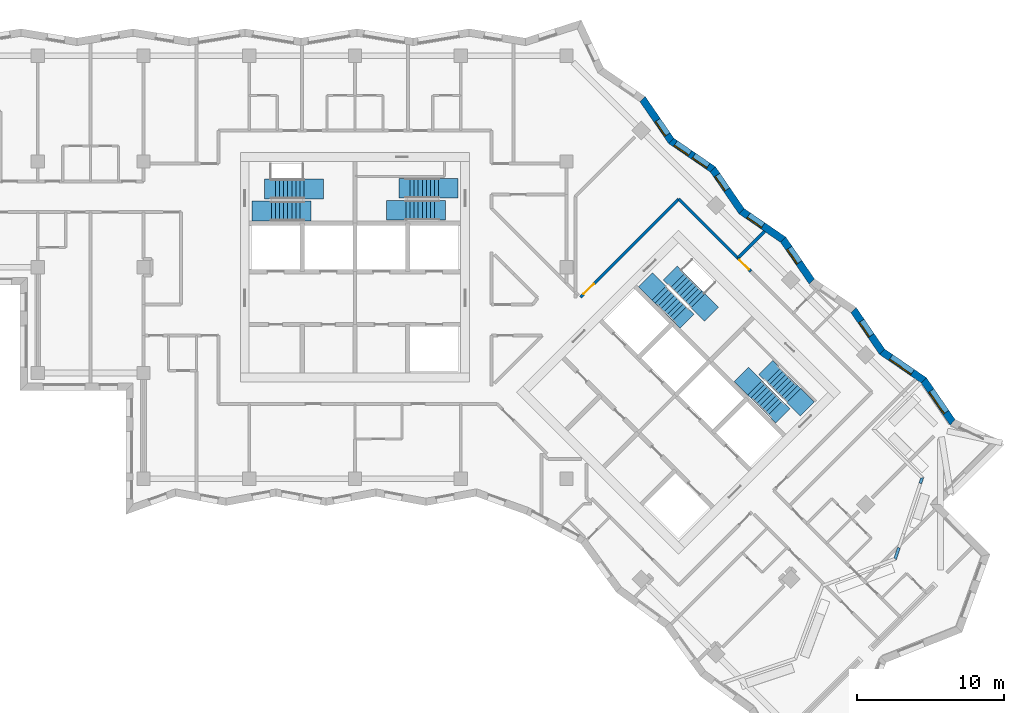
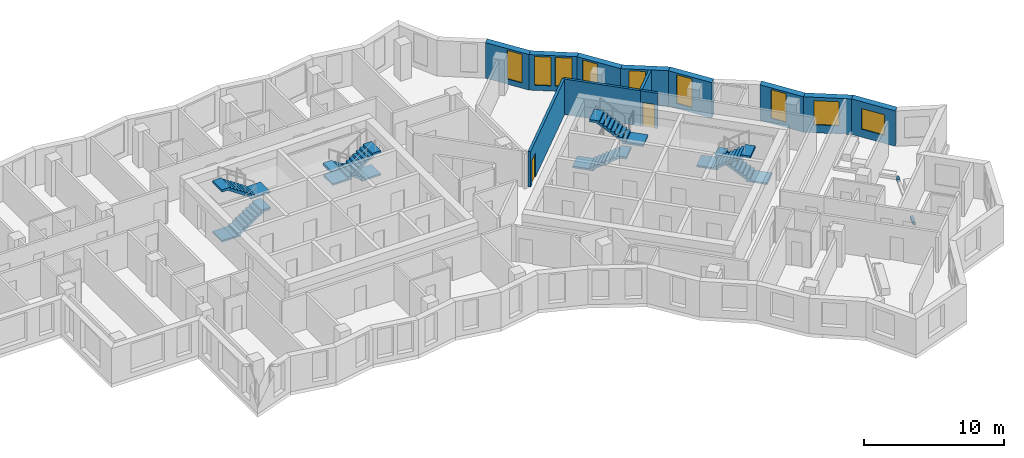
# One storey, part 10 of 13: 14 walls, 9 windows, 8 stair flights, 2 doors, 11 openings, 4 elements without a shape of their own.
"""IFC4 building model written with IfcOpenShell, lengths in metres."""

from ifc_helpers import new_model, si_unit, direction, frame, frame_2d, origin, place, context, subcontext, project, spatial, polyline, rectangle, outline, extrude, material, layer, layer_set, type_object, element, fill, aggregate, save


model = new_model("IFC4")

# Units and contexts
model_context = context("Model", 3, precision=1e-05, world=origin(), true_north=direction((0.0, 1.0)))
body_context = subcontext(model_context, "Body", "Model", "MODEL_VIEW")
ifc_project = project(units=[si_unit("LENGTHUNIT", "METRE"), si_unit("AREAUNIT", "SQUARE_METRE"), si_unit("VOLUMEUNIT", "CUBIC_METRE"), si_unit("PLANEANGLEUNIT", "RADIAN"), si_unit("MASSUNIT", "GRAM", prefix="KILO")], contexts=[model_context])

# Site, building, storey
site_placement = place(None, origin())
site = spatial("IfcSite", under=ifc_project, at=site_placement, CompositionType="ELEMENT")
building_placement = place(site_placement, origin())
building = spatial("IfcBuilding", under=site, at=building_placement, Name="Windrow Commons", CompositionType="ELEMENT")
storey_placement = place(building_placement, frame((0.0, 0.0, 172.8)))
storey = spatial("IfcBuildingStorey", under=building, at=storey_placement, Name="L47", CompositionType="ELEMENT", Elevation=172.8)

# Wall, opening, window
ifc_material_1 = material(Name="Brick masonry, red clay brick", Category="masonry")
ifc_layer_1 = layer(ifc_material_1, 0.5)
ifc_layer_set_1 = layer_set([ifc_layer_1], Name="Brick facade wall 500")
wall_type_1 = type_object("IfcWallType", Name="Brick facade wall 500", PredefinedType="SOLIDWALL", material=ifc_layer_set_1)
wall_1_placement = place(storey_placement, frame((105.4894, 47.0424, 0.0), z_axis=(0.0, 0.0, 1.0), x_axis=(-0.5657493712, 0.8245772547, 0.0)))
wall_1 = element("IfcWall", 1, at=wall_1_placement, inside=storey, type_object=wall_type_1, Name="Brick facade wall L47 8", PredefinedType="SOLIDWALL", context=body_context, shape_type="SweptSolid", body=[
    extrude(outline(polyline([(0.0682, -0.25), (3.5106, -0.25), (3.4175, 0.25), (-0.0682, 0.25), (0.0682, -0.25)])), origin(), (0.0, 0.0, 1.0), 3.1),
])
opening_1_placement = place(wall_1_placement, frame((0.8087, 0.0, 0.7)))
opening_1 = element("IfcOpeningElement", 2, at=opening_1_placement, cuts=wall_1, Name="Opening W1M", PredefinedType="OPENING", context=body_context, shape_type="SweptSolid", body=[
    extrude(rectangle(XDim=1.8, YDim=1.8, at=frame_2d((0.9, 0.9))), frame((0.0, 0.26, 0.0), z_axis=(0.0, -1.0, 0.0), x_axis=(1.0, 0.0, 0.0)), (0.0, 0.0, 1.0), 0.52),
])
ifc_material_2 = material(Name="Clear float glass in anodised aluminium frame", Category="aluminium")
window_type_1 = type_object("IfcWindowType", Name="Window W1M bedroom 1800x1800", PartitioningType="SINGLE_PANEL", PredefinedType="WINDOW", material=ifc_material_2)
window_1_placement = place(opening_1_placement, origin())
window_1 = element("IfcWindow", 3, at=window_1_placement, inside=storey, type_object=window_type_1, Name="Window L47 8.1", OverallHeight=1.8, OverallWidth=1.8, PartitioningType="SINGLE_PANEL", PredefinedType="WINDOW", context=body_context, shape_type="SweptSolid", body=[
    extrude(rectangle(XDim=1.8, YDim=1.8, at=frame_2d((0.9, 0.9))), frame((0.0, 0.18, 0.0), z_axis=(0.0, -1.0, 0.0), x_axis=(1.0, 0.0, 0.0)), (0.0, 0.0, 1.0), 0.06),
])
fill(opening_1, window_1)

wall_2_placement = place(storey_placement, frame((103.5296, 49.8988, 0.0), z_axis=(0.0, 0.0, 1.0), x_axis=(-0.8245704852, 0.5657592376, 0.0)))
wall_2 = element("IfcWall", 4, at=wall_2_placement, inside=storey, type_object=wall_type_1, Name="Brick facade wall L47 9", PredefinedType="SOLIDWALL", context=body_context, shape_type="SweptSolid", body=[
    extrude(outline(polyline([(-0.0465, -0.25), (3.3958, -0.25), (3.4889, 0.25), (0.0465, 0.25), (-0.0465, -0.25)])), origin(), (0.0, 0.0, 1.0), 3.1),
])
opening_2_placement = place(wall_2_placement, frame((0.9407, 0.0, 0.7)))
opening_2 = element("IfcOpeningElement", 5, at=opening_2_placement, cuts=wall_2, Name="Opening W1B", PredefinedType="OPENING", context=body_context, shape_type="SweptSolid", body=[
    extrude(rectangle(XDim=1.8, YDim=2.1, at=frame_2d((0.9, 1.05))), frame((0.0, 0.26, 0.0), z_axis=(0.0, -1.0, 0.0), x_axis=(1.0, 0.0, 0.0)), (0.0, 0.0, 1.0), 0.52),
])
ifc_material_3 = material(Name="Clear float glass in anodised aluminium frame", Category="aluminium")
window_type_2 = type_object("IfcWindowType", Name="Window W1 bedroom 1800x2100", PartitioningType="SINGLE_PANEL", PredefinedType="WINDOW", material=ifc_material_3)
window_2_placement = place(opening_2_placement, origin())
window_2 = element("IfcWindow", 6, at=window_2_placement, inside=storey, type_object=window_type_2, Name="Window L47 9.1", OverallHeight=2.1, OverallWidth=1.8, PartitioningType="SINGLE_PANEL", PredefinedType="WINDOW", context=body_context, shape_type="SweptSolid", body=[
    extrude(rectangle(XDim=1.8, YDim=2.1, at=frame_2d((0.9, 1.05))), frame((0.0, 0.18, 0.0), z_axis=(0.0, -1.0, 0.0), x_axis=(1.0, 0.0, 0.0)), (0.0, 0.0, 1.0), 0.06),
])
fill(opening_2, window_2)

wall_3_placement = place(storey_placement, frame((100.6912, 51.8463, 0.0), z_axis=(0.0, 0.0, 1.0), x_axis=(-0.5657654369, 0.8245662316, 0.0)))
wall_3 = element("IfcWall", 7, at=wall_3_placement, inside=storey, type_object=wall_type_1, Name="Brick facade wall L47 10", PredefinedType="SOLIDWALL", context=body_context, shape_type="SweptSolid", body=[
    extrude(outline(polyline([(0.0465, -0.25), (3.4889, -0.25), (3.3958, 0.25), (-0.0465, 0.25), (0.0465, -0.25)])), origin(), (0.0, 0.0, 1.0), 3.1),
])
opening_3_placement = place(wall_3_placement, frame((1.3272, 0.0, 0.45)))
opening_3 = element("IfcOpeningElement", 8, at=opening_3_placement, cuts=wall_3, Name="Opening W7E", PredefinedType="OPENING", context=body_context, shape_type="SweptSolid", body=[
    extrude(rectangle(XDim=1.2, YDim=2.5, at=frame_2d((0.6, 1.25))), frame((0.0, 0.26, 0.0), z_axis=(0.0, -1.0, 0.0), x_axis=(1.0, 0.0, 0.0)), (0.0, 0.0, 1.0), 0.52),
])
ifc_material_4 = material(Name="Clear float glass in anodised aluminium frame", Category="aluminium")
window_type_3 = type_object("IfcWindowType", Name="Window W7 notch 1200x2500", PartitioningType="SINGLE_PANEL", PredefinedType="WINDOW", material=ifc_material_4)
window_3_placement = place(opening_3_placement, origin())
window_3 = element("IfcWindow", 9, at=window_3_placement, inside=storey, type_object=window_type_3, Name="Window L47 10.1", OverallHeight=2.5, OverallWidth=1.2, PartitioningType="SINGLE_PANEL", PredefinedType="WINDOW", context=body_context, shape_type="SweptSolid", body=[
    extrude(rectangle(XDim=1.2, YDim=2.5, at=frame_2d((0.6, 1.25))), frame((0.0, 0.18, 0.0), z_axis=(0.0, -1.0, 0.0), x_axis=(1.0, 0.0, 0.0)), (0.0, 0.0, 1.0), 0.06),
])
fill(opening_3, window_3)

wall_4_placement = place(storey_placement, frame((95.9051, 56.6323, 0.0), z_axis=(0.0, 0.0, 1.0), x_axis=(-0.5657456855, 0.8245797835, 0.0)))
wall_4 = element("IfcWall", 10, at=wall_4_placement, inside=storey, type_object=wall_type_1, Name="Brick facade wall L47 12", PredefinedType="SOLIDWALL", context=body_context, shape_type="SweptSolid", body=[
    extrude(outline(polyline([(0.0465, -0.25), (3.4889, -0.25), (3.3958, 0.25), (-0.0465, 0.25), (0.0465, -0.25)])), origin(), (0.0, 0.0, 1.0), 3.1),
])
opening_4_placement = place(wall_4_placement, frame((1.5466, 0.0, 0.45)))
opening_4 = element("IfcOpeningElement", 11, at=opening_4_placement, cuts=wall_4, Name="Opening W7E", PredefinedType="OPENING", context=body_context, shape_type="SweptSolid", body=[
    extrude(rectangle(XDim=1.2, YDim=2.5, at=frame_2d((0.6, 1.25))), frame((0.0, 0.26, 0.0), z_axis=(0.0, -1.0, 0.0), x_axis=(1.0, 0.0, 0.0)), (0.0, 0.0, 1.0), 0.52),
])
window_4_placement = place(opening_4_placement, origin())
window_4 = element("IfcWindow", 12, at=window_4_placement, inside=storey, type_object=window_type_3, Name="Window L47 12.1", OverallHeight=2.5, OverallWidth=1.2, PartitioningType="SINGLE_PANEL", PredefinedType="WINDOW", context=body_context, shape_type="SweptSolid", body=[
    extrude(rectangle(XDim=1.2, YDim=2.5, at=frame_2d((0.6, 1.25))), frame((0.0, 0.18, 0.0), z_axis=(0.0, -1.0, 0.0), x_axis=(1.0, 0.0, 0.0)), (0.0, 0.0, 1.0), 0.06),
])
fill(opening_4, window_4)

wall_5_placement = place(storey_placement, frame((93.9576, 59.4708, 0.0), z_axis=(0.0, 0.0, 1.0), x_axis=(-0.8245662316, 0.5657654369, 0.0)))
wall_5 = element("IfcWall", 13, at=wall_5_placement, inside=storey, type_object=wall_type_1, Name="Brick facade wall L47 13", PredefinedType="SOLIDWALL", context=body_context, shape_type="SweptSolid", body=[
    extrude(outline(polyline([(-0.0465, -0.25), (3.3958, -0.25), (3.4889, 0.25), (0.0465, 0.25), (-0.0465, -0.25)])), origin(), (0.0, 0.0, 1.0), 3.1),
])
opening_5_placement = place(wall_5_placement, frame((1.6796, 0.0, 0.45)))
opening_5 = element("IfcOpeningElement", 14, at=opening_5_placement, cuts=wall_5, Name="Opening W7E", PredefinedType="OPENING", context=body_context, shape_type="SweptSolid", body=[
    extrude(rectangle(XDim=1.2, YDim=2.5, at=frame_2d((0.6, 1.25))), frame((0.0, 0.26, 0.0), z_axis=(0.0, -1.0, 0.0), x_axis=(1.0, 0.0, 0.0)), (0.0, 0.0, 1.0), 0.52),
])
window_5_placement = place(opening_5_placement, origin())
window_5 = element("IfcWindow", 15, at=window_5_placement, inside=storey, type_object=window_type_3, Name="Window L47 13.1", OverallHeight=2.5, OverallWidth=1.2, PartitioningType="SINGLE_PANEL", PredefinedType="WINDOW", context=body_context, shape_type="SweptSolid", body=[
    extrude(rectangle(XDim=1.2, YDim=2.5, at=frame_2d((0.6, 1.25))), frame((0.0, 0.18, 0.0), z_axis=(0.0, -1.0, 0.0), x_axis=(1.0, 0.0, 0.0)), (0.0, 0.0, 1.0), 0.06),
])
fill(opening_5, window_5)

wall_6_placement = place(storey_placement, frame((91.1191, 61.4184, 0.0), z_axis=(0.0, 0.0, 1.0), x_axis=(-0.5657456855, 0.8245797835, 0.0)))
wall_6 = element("IfcWall", 16, at=wall_6_placement, inside=storey, type_object=wall_type_1, Name="Brick facade wall L47 14", PredefinedType="SOLIDWALL", context=body_context, shape_type="SweptSolid", body=[
    extrude(outline(polyline([(0.0465, -0.25), (3.4889, -0.25), (3.3958, 0.25), (-0.0465, 0.25), (0.0465, -0.25)])), origin(), (0.0, 0.0, 1.0), 3.1),
])
opening_6_placement = place(wall_6_placement, frame((1.7661, 0.0, 0.45)))
opening_6 = element("IfcOpeningElement", 17, at=opening_6_placement, cuts=wall_6, Name="Opening W7E", PredefinedType="OPENING", context=body_context, shape_type="SweptSolid", body=[
    extrude(rectangle(XDim=1.2, YDim=2.5, at=frame_2d((0.6, 1.25))), frame((0.0, 0.26, 0.0), z_axis=(0.0, -1.0, 0.0), x_axis=(1.0, 0.0, 0.0)), (0.0, 0.0, 1.0), 0.52),
])
window_6_placement = place(opening_6_placement, origin())
window_6 = element("IfcWindow", 18, at=window_6_placement, inside=storey, type_object=window_type_3, Name="Window L47 14.1", OverallHeight=2.5, OverallWidth=1.2, PartitioningType="SINGLE_PANEL", PredefinedType="WINDOW", context=body_context, shape_type="SweptSolid", body=[
    extrude(rectangle(XDim=1.2, YDim=2.5, at=frame_2d((0.6, 1.25))), frame((0.0, 0.18, 0.0), z_axis=(0.0, -1.0, 0.0), x_axis=(1.0, 0.0, 0.0)), (0.0, 0.0, 1.0), 0.06),
])
fill(opening_6, window_6)

# Wall, openings, windows
wall_7_placement = place(storey_placement, frame((89.1716, 64.2569, 0.0), z_axis=(0.0, 0.0, 1.0), x_axis=(-0.8245797835, 0.5657456855, 0.0)))
wall_7 = element("IfcWall", 19, at=wall_7_placement, inside=storey, type_object=wall_type_1, Name="Brick facade wall L47 15", PredefinedType="SOLIDWALL", context=body_context, shape_type="SweptSolid", body=[
    extrude(outline(polyline([(-0.0465, -0.25), (3.3958, -0.25), (3.4889, 0.25), (0.0465, 0.25), (-0.0465, -0.25)])), origin(), (0.0, 0.0, 1.0), 3.1),
])
opening_7_placement = place(wall_7_placement, frame((0.4012, 0.0, 0.45)))
opening_7 = element("IfcOpeningElement", 20, at=opening_7_placement, cuts=wall_7, Name="Opening W7E", PredefinedType="OPENING", context=body_context, shape_type="SweptSolid", body=[
    extrude(rectangle(XDim=1.2, YDim=2.5, at=frame_2d((0.6, 1.25))), frame((0.0, 0.26, 0.0), z_axis=(0.0, -1.0, 0.0), x_axis=(1.0, 0.0, 0.0)), (0.0, 0.0, 1.0), 0.52),
])
opening_8_placement = place(wall_7_placement, frame((1.8991, 0.0, 0.45)))
opening_8 = element("IfcOpeningElement", 21, at=opening_8_placement, cuts=wall_7, Name="Opening W7E", PredefinedType="OPENING", context=body_context, shape_type="SweptSolid", body=[
    extrude(rectangle(XDim=1.2, YDim=2.5, at=frame_2d((0.6, 1.25))), frame((0.0, 0.26, 0.0), z_axis=(0.0, -1.0, 0.0), x_axis=(1.0, 0.0, 0.0)), (0.0, 0.0, 1.0), 0.52),
])
window_7_placement = place(opening_7_placement, origin())
window_7 = element("IfcWindow", 22, at=window_7_placement, inside=storey, type_object=window_type_3, Name="Window L47 15.1", OverallHeight=2.5, OverallWidth=1.2, PartitioningType="SINGLE_PANEL", PredefinedType="WINDOW", context=body_context, shape_type="SweptSolid", body=[
    extrude(rectangle(XDim=1.2, YDim=2.5, at=frame_2d((0.6, 1.25))), frame((0.0, 0.18, 0.0), z_axis=(0.0, -1.0, 0.0), x_axis=(1.0, 0.0, 0.0)), (0.0, 0.0, 1.0), 0.06),
])
fill(opening_7, window_7)
window_8_placement = place(opening_8_placement, origin())
window_8 = element("IfcWindow", 23, at=window_8_placement, inside=storey, type_object=window_type_3, Name="Window L47 15.2", OverallHeight=2.5, OverallWidth=1.2, PartitioningType="SINGLE_PANEL", PredefinedType="WINDOW", context=body_context, shape_type="SweptSolid", body=[
    extrude(rectangle(XDim=1.2, YDim=2.5, at=frame_2d((0.6, 1.25))), frame((0.0, 0.18, 0.0), z_axis=(0.0, -1.0, 0.0), x_axis=(1.0, 0.0, 0.0)), (0.0, 0.0, 1.0), 0.06),
])
fill(opening_8, window_8)

# Wall, opening, window
wall_8_placement = place(storey_placement, frame((86.3331, 66.2044, 0.0), z_axis=(0.0, 0.0, 1.0), x_axis=(-0.5657654369, 0.8245662316, 0.0)))
wall_8 = element("IfcWall", 24, at=wall_8_placement, inside=storey, type_object=wall_type_1, Name="Brick facade wall L47 16", PredefinedType="SOLIDWALL", context=body_context, shape_type="SweptSolid", body=[
    extrude(outline(polyline([(0.0465, -0.25), (3.4889, -0.25), (3.3958, 0.25), (-0.0465, 0.25), (0.0465, -0.25)])), origin(), (0.0, 0.0, 1.0), 3.1),
])
opening_9_placement = place(wall_8_placement, frame((0.4877, 0.0, 0.45)))
opening_9 = element("IfcOpeningElement", 25, at=opening_9_placement, cuts=wall_8, Name="Opening W7E", PredefinedType="OPENING", context=body_context, shape_type="SweptSolid", body=[
    extrude(rectangle(XDim=1.2, YDim=2.5, at=frame_2d((0.6, 1.25))), frame((0.0, 0.26, 0.0), z_axis=(0.0, -1.0, 0.0), x_axis=(1.0, 0.0, 0.0)), (0.0, 0.0, 1.0), 0.52),
])
window_9_placement = place(opening_9_placement, origin())
window_9 = element("IfcWindow", 26, at=window_9_placement, inside=storey, type_object=window_type_3, Name="Window L47 16.1", OverallHeight=2.5, OverallWidth=1.2, PartitioningType="SINGLE_PANEL", PredefinedType="WINDOW", context=body_context, shape_type="SweptSolid", body=[
    extrude(rectangle(XDim=1.2, YDim=2.5, at=frame_2d((0.6, 1.25))), frame((0.0, 0.18, 0.0), z_axis=(0.0, -1.0, 0.0), x_axis=(1.0, 0.0, 0.0)), (0.0, 0.0, 1.0), 0.06),
])
fill(opening_9, window_9)

# Wall, opening, door
ifc_material_5 = material(Name="Blockwork partition", Category="masonry")
ifc_layer_2 = layer(ifc_material_5, 0.2)
ifc_layer_set_2 = layer_set([ifc_layer_2], Name="IW-CORRIDOR-200")
wall_type_2 = type_object("IfcWallType", Name="IW-CORRIDOR-200", PredefinedType="PARTITIONING", material=ifc_layer_set_2)
wall_9_placement = place(storey_placement, frame((80.1536, 55.5604, 0.0), z_axis=(0.0, 0.0, 1.0), x_axis=(0.7071067812, 0.7071067812, 0.0)))
wall_9 = element("IfcWall", 27, at=wall_9_placement, inside=storey, type_object=wall_type_2, Name="W-L47-W010", PredefinedType="PARTITIONING", context=body_context, shape_type="SweptSolid", body=[
    extrude(rectangle(XDim=9.4498, YDim=0.2, at=frame_2d((4.7249, 0.0))), origin(), (0.0, 0.0, 1.0), 3.1),
])
opening_10_placement = place(wall_9_placement, frame((0.2916, 0.0, 0.0)))
opening_10 = element("IfcOpeningElement", 28, at=opening_10_placement, cuts=wall_9, Name="Opening D310F", PredefinedType="OPENING", context=body_context, shape_type="SweptSolid", body=[
    extrude(rectangle(XDim=1.0, YDim=2.1, at=frame_2d((0.5, 1.05))), frame((0.0, 0.11, 0.0), z_axis=(0.0, -1.0, 0.0), x_axis=(1.0, 0.0, 0.0)), (0.0, 0.0, 1.0), 0.22),
])
ifc_material_6 = material(Name="Timber door leaf", Category="wood")
door_type_1 = type_object("IfcDoorType", Name="DT-AMENITY-1000", OperationType="SINGLE_SWING_LEFT", PredefinedType="DOOR", material=ifc_material_6)
door_1_placement = place(opening_10_placement, origin())
door_1 = element("IfcDoor", 29, at=door_1_placement, inside=storey, type_object=door_type_1, Name="D-L47-D041", OperationType="SINGLE_SWING_LEFT", OverallHeight=2.1, OverallWidth=1.0, PredefinedType="DOOR", context=body_context, shape_type="SweptSolid", body=[
    extrude(rectangle(XDim=1.0, YDim=2.1, at=frame_2d((0.5, 1.05))), frame((0.0, 0.025, 0.0), z_axis=(0.0, -1.0, 0.0), x_axis=(1.0, 0.0, 0.0)), (0.0, 0.0, 1.0), 0.05),
])
fill(opening_10, door_1)

# Wall
wall_10_placement = place(storey_placement, frame((86.8412, 62.2452, 0.0), z_axis=(0.0, 0.0, 1.0), x_axis=(0.7071067812, -0.7071067812, 0.0)))
element("IfcWall", 30, at=wall_10_placement, inside=storey, type_object=wall_type_2, Name="W-L47-W033", PredefinedType="PARTITIONING", context=body_context, shape_type="SweptSolid", body=[
    extrude(rectangle(XDim=5.6993, YDim=0.2, at=frame_2d((2.8497, 0.0))), origin(), (0.0, 0.0, 1.0), 3.1),
])

# Wall, opening, door
wall_11_placement = place(storey_placement, frame((90.8671, 58.2111, 0.0), z_axis=(0.0, 0.0, 1.0), x_axis=(0.706312726, -0.7078999456, 0.0)))
wall_11 = element("IfcWall", 31, at=wall_11_placement, inside=storey, type_object=wall_type_2, Name="W-L47-W129", PredefinedType="PARTITIONING", context=body_context, shape_type="SweptSolid", body=[
    extrude(rectangle(XDim=1.2601, YDim=0.2, at=frame_2d((0.63, 0.0))), origin(), (0.0, 0.0, 1.0), 3.1),
])
opening_11_placement = place(wall_11_placement, frame((0.1624, 0.0, 0.0)))
opening_11 = element("IfcOpeningElement", 32, at=opening_11_placement, cuts=wall_11, Name="Opening D109S", PredefinedType="OPENING", context=body_context, shape_type="SweptSolid", body=[
    extrude(rectangle(XDim=0.9, YDim=2.1, at=frame_2d((0.45, 1.05))), frame((0.0, 0.11, 0.0), z_axis=(0.0, -1.0, 0.0), x_axis=(1.0, 0.0, 0.0)), (0.0, 0.0, 1.0), 0.22),
])
ifc_material_7 = material(Name="Timber door leaf", Category="wood")
door_type_2 = type_object("IfcDoorType", Name="DT-BEDROOM-900", OperationType="SINGLE_SWING_LEFT", PredefinedType="DOOR", material=ifc_material_7)
door_2_placement = place(opening_11_placement, origin())
door_2 = element("IfcDoor", 33, at=door_2_placement, inside=storey, type_object=door_type_2, Name="D-L47-D047", OperationType="SINGLE_SWING_RIGHT", OverallHeight=2.1, OverallWidth=0.9, PredefinedType="DOOR", context=body_context, shape_type="SweptSolid", body=[
    extrude(rectangle(XDim=0.9, YDim=2.1, at=frame_2d((0.45, 1.05))), frame((0.0, 0.025, 0.0), z_axis=(0.0, -1.0, 0.0), x_axis=(1.0, 0.0, 0.0)), (0.0, 0.0, 1.0), 0.05),
])
fill(opening_11, door_2)

# Walls
ifc_material_8 = material(Name="Blockwork partition", Category="masonry")
ifc_layer_3 = layer(ifc_material_8, 0.2)
ifc_layer_set_3 = layer_set([ifc_layer_3], Name="IW-PARTY-200")
wall_type_3 = type_object("IfcWallType", Name="IW-PARTY-200", PredefinedType="PARTITIONING", material=ifc_layer_set_3)
wall_12_placement = place(storey_placement, frame((90.8669, 58.2131, 0.0), z_axis=(0.0, 0.0, 1.0), x_axis=(0.7066219104, 0.7075913198, 0.0)))
element("IfcWall", 34, at=wall_12_placement, inside=storey, type_object=wall_type_3, Name="W-L47-W067", PredefinedType="PARTITIONING", context=body_context, shape_type="SweptSolid", body=[
    extrude(rectangle(XDim=2.5789, YDim=0.2, at=frame_2d((1.2894, 0.0))), origin(), (0.0, 0.0, 1.0), 3.1),
])
ifc_material_9 = material(Name="Brick masonry, red clay brick", Category="masonry")
ifc_layer_4 = layer(ifc_material_9, 0.2)
ifc_layer_set_4 = layer_set([ifc_layer_4], Name="Terrace edge parapet 200")
wall_type_4 = type_object("IfcWallType", Name="Terrace edge parapet 200", PredefinedType="PARAPET", material=ifc_layer_set_4)
wall_13_placement = place(storey_placement, frame((103.4164, 43.258, 0.0), z_axis=(0.0, 0.0, 1.0), x_axis=(-0.3160011426, -0.9487588091, 0.0)))
element("IfcWall", 35, at=wall_13_placement, inside=storey, type_object=wall_type_4, Name="Terrace parapet TR-L47-1.1.3", PredefinedType="PARAPET", context=body_context, shape_type="SweptSolid", body=[
    extrude(outline(polyline([(0.0618, -0.1), (0.3972, -0.1), (0.3972, 0.1), (-0.0618, 0.1), (0.0618, -0.1)])), origin(), (0.0, 0.0, 1.0), 0.25),
])
wall_14_placement = place(storey_placement, frame((101.8311, 38.5018, 0.0), z_axis=(0.0, 0.0, 1.0), x_axis=(-0.3163035263, -0.9486580413, 0.0)))
element("IfcWall", 36, at=wall_14_placement, inside=storey, type_object=wall_type_4, Name="Terrace parapet TR-L47-1.1.6", PredefinedType="PARAPET", context=body_context, shape_type="SweptSolid", body=[
    extrude(outline(polyline([(0.0, -0.1), (0.7441, -0.1), (0.8399, 0.1), (0.0, 0.1), (0.0, -0.1)])), origin(), (0.0, 0.0, 1.0), 0.25),
])

# Stair, stair flights
ifc_material_10 = material(Name="Concrete C40/50", Category="concrete")
stair_type = type_object("IfcStairType", Name="Core stair", PredefinedType="HALF_TURN_STAIR", material=ifc_material_10)
placement = place(storey_placement, origin())
stair_1 = element("IfcStair", 37, at=placement, inside=storey, type_object=stair_type, Name="L47 Exit stair A1 core A", PredefinedType="HALF_TURN_STAIR")
ifc_material_11 = material(Name="Concrete C40/50", Category="concrete")
stair_flight_type = type_object("IfcStairFlightType", Name="Core stair flight", PredefinedType="STRAIGHT", material=ifc_material_11)
stair_flight_1_placement = place(storey_placement, frame((59.1, 61.425, 0.0), z_axis=(0.0, 0.0, 1.0), x_axis=(1.0, 0.0, 0.0)))
stair_flight_1 = element("IfcStairFlight", 38, at=stair_flight_1_placement, type_object=stair_flight_type, Name="ST-A1 flight 1", NumberOfRisers=9, NumberOfTreads=8, PredefinedType="STRAIGHT", RiserHeight=0.188888889, TreadLength=0.28, context=body_context, shape_type="SweptSolid", body=[
    extrude(outline(polyline([(-1.3, -0.15), (-1.3, 0.0), (0.0, 0.0), (0.0, 0.1889), (0.28, 0.1889), (0.28, 0.3778), (0.56, 0.3778), (0.56, 0.5667), (0.84, 0.5667), (0.84, 0.7556), (1.12, 0.7556), (1.12, 0.9444), (1.4, 0.9444), (1.4, 1.1333), (1.68, 1.1333), (1.68, 1.3222), (1.96, 1.3222), (1.96, 1.5111), (2.24, 1.5111), (2.69, 1.5111), (2.69, 1.3111), (2.24, 1.3111), (2.24, 1.3302), (0.2682, 0.0), (0.2682, -0.15), (-1.3, -0.15)])), frame((0.0, 0.675, 0.0), z_axis=(0.0, -1.0, 0.0), x_axis=(1.0, 0.0, 0.0)), (0.0, 0.0, 1.0), 1.35),
])
stair_flight_2_placement = place(storey_placement, frame((61.34, 62.925, 1.7), z_axis=(0.0, 0.0, 1.0), x_axis=(-1.0, 0.0, 0.0)))
stair_flight_2 = element("IfcStairFlight", 39, at=stair_flight_2_placement, type_object=stair_flight_type, Name="ST-A1 flight 2", NumberOfRisers=9, NumberOfTreads=8, PredefinedType="STRAIGHT", RiserHeight=0.188888889, TreadLength=0.28, context=body_context, shape_type="SweptSolid", body=[
    extrude(outline(polyline([(-1.3, -0.15), (-1.3, 0.0), (0.0, 0.0), (0.0, 0.1889), (0.28, 0.1889), (0.28, 0.3778), (0.56, 0.3778), (0.56, 0.5667), (0.84, 0.5667), (0.84, 0.7556), (1.12, 0.7556), (1.12, 0.9444), (1.4, 0.9444), (1.4, 1.1333), (1.68, 1.1333), (1.68, 1.3222), (1.96, 1.3222), (1.96, 1.5111), (2.24, 1.5111), (2.69, 1.5111), (2.69, 1.3111), (2.24, 1.3111), (2.24, 1.3302), (0.2682, 0.0), (0.2682, -0.15), (-1.3, -0.15)])), frame((0.0, 0.675, 0.0), z_axis=(0.0, -1.0, 0.0), x_axis=(1.0, 0.0, 0.0)), (0.0, 0.0, 1.0), 1.35),
])
aggregate(stair_1, [stair_flight_1, stair_flight_2])

stair_2 = element("IfcStair", 40, at=placement, inside=storey, type_object=stair_type, Name="L47 Exit stair A2 core A", PredefinedType="HALF_TURN_STAIR")
stair_flight_3_placement = place(storey_placement, frame((70.5, 62.98, 0.0), z_axis=(0.0, 0.0, 1.0), x_axis=(-1.0, 0.0, 0.0)))
stair_flight_3 = element("IfcStairFlight", 41, at=stair_flight_3_placement, type_object=stair_flight_type, Name="ST-A2 flight 1", NumberOfRisers=9, NumberOfTreads=8, PredefinedType="STRAIGHT", RiserHeight=0.188888889, TreadLength=0.28, context=body_context, shape_type="SweptSolid", body=[
    extrude(outline(polyline([(-1.3, -0.15), (-1.3, 0.0), (0.0, 0.0), (0.0, 0.1889), (0.28, 0.1889), (0.28, 0.3778), (0.56, 0.3778), (0.56, 0.5667), (0.84, 0.5667), (0.84, 0.7556), (1.12, 0.7556), (1.12, 0.9444), (1.4, 0.9444), (1.4, 1.1333), (1.68, 1.1333), (1.68, 1.3222), (1.96, 1.3222), (1.96, 1.5111), (2.24, 1.5111), (2.69, 1.5111), (2.69, 1.3111), (2.24, 1.3111), (2.24, 1.3302), (0.2682, 0.0), (0.2682, -0.15), (-1.3, -0.15)])), frame((0.0, 0.675, 0.0), z_axis=(0.0, -1.0, 0.0), x_axis=(1.0, 0.0, 0.0)), (0.0, 0.0, 1.0), 1.35),
])
stair_flight_4_placement = place(storey_placement, frame((68.26, 61.48, 1.7), z_axis=(0.0, 0.0, 1.0), x_axis=(1.0, 0.0, 0.0)))
stair_flight_4 = element("IfcStairFlight", 42, at=stair_flight_4_placement, type_object=stair_flight_type, Name="ST-A2 flight 2", NumberOfRisers=9, NumberOfTreads=8, PredefinedType="STRAIGHT", RiserHeight=0.188888889, TreadLength=0.28, context=body_context, shape_type="SweptSolid", body=[
    extrude(outline(polyline([(-1.3, -0.15), (-1.3, 0.0), (0.0, 0.0), (0.0, 0.1889), (0.28, 0.1889), (0.28, 0.3778), (0.56, 0.3778), (0.56, 0.5667), (0.84, 0.5667), (0.84, 0.7556), (1.12, 0.7556), (1.12, 0.9444), (1.4, 0.9444), (1.4, 1.1333), (1.68, 1.1333), (1.68, 1.3222), (1.96, 1.3222), (1.96, 1.5111), (2.24, 1.5111), (2.69, 1.5111), (2.69, 1.3111), (2.24, 1.3111), (2.24, 1.3302), (0.2682, 0.0), (0.2682, -0.15), (-1.3, -0.15)])), frame((0.0, 0.675, 0.0), z_axis=(0.0, -1.0, 0.0), x_axis=(1.0, 0.0, 0.0)), (0.0, 0.0, 1.0), 1.35),
])
aggregate(stair_2, [stair_flight_3, stair_flight_4])

stair_3 = element("IfcStair", 43, at=placement, inside=storey, type_object=stair_type, Name="L47 Exit stair B1 core B", PredefinedType="HALF_TURN_STAIR")
stair_flight_5_placement = place(storey_placement, frame((85.5109, 55.8249, 0.0), z_axis=(0.0, 0.0, 1.0), x_axis=(0.7071067812, -0.7071067812, 0.0)))
stair_flight_5 = element("IfcStairFlight", 44, at=stair_flight_5_placement, type_object=stair_flight_type, Name="ST-B1 flight 1", NumberOfRisers=9, NumberOfTreads=8, PredefinedType="STRAIGHT", RiserHeight=0.188888889, TreadLength=0.28, context=body_context, shape_type="SweptSolid", body=[
    extrude(outline(polyline([(-1.3, -0.15), (-1.3, 0.0), (0.0, 0.0), (0.0, 0.1889), (0.28, 0.1889), (0.28, 0.3778), (0.56, 0.3778), (0.56, 0.5667), (0.84, 0.5667), (0.84, 0.7556), (1.12, 0.7556), (1.12, 0.9444), (1.4, 0.9444), (1.4, 1.1333), (1.68, 1.1333), (1.68, 1.3222), (1.96, 1.3222), (1.96, 1.5111), (2.24, 1.5111), (2.69, 1.5111), (2.69, 1.3111), (2.24, 1.3111), (2.24, 1.3302), (0.2682, 0.0), (0.2682, -0.15), (-1.3, -0.15)])), frame((0.0, 0.675, 0.0), z_axis=(0.0, -1.0, 0.0), x_axis=(1.0, 0.0, 0.0)), (0.0, 0.0, 1.0), 1.35),
])
stair_flight_6_placement = place(storey_placement, frame((88.1555, 55.3017, 1.7), z_axis=(0.0, 0.0, 1.0), x_axis=(-0.7071067812, 0.7071067812, 0.0)))
stair_flight_6 = element("IfcStairFlight", 45, at=stair_flight_6_placement, type_object=stair_flight_type, Name="ST-B1 flight 2", NumberOfRisers=9, NumberOfTreads=8, PredefinedType="STRAIGHT", RiserHeight=0.188888889, TreadLength=0.28, context=body_context, shape_type="SweptSolid", body=[
    extrude(outline(polyline([(-1.3, -0.15), (-1.3, 0.0), (0.0, 0.0), (0.0, 0.1889), (0.28, 0.1889), (0.28, 0.3778), (0.56, 0.3778), (0.56, 0.5667), (0.84, 0.5667), (0.84, 0.7556), (1.12, 0.7556), (1.12, 0.9444), (1.4, 0.9444), (1.4, 1.1333), (1.68, 1.1333), (1.68, 1.3222), (1.96, 1.3222), (1.96, 1.5111), (2.24, 1.5111), (2.69, 1.5111), (2.69, 1.3111), (2.24, 1.3111), (2.24, 1.3302), (0.2682, 0.0), (0.2682, -0.15), (-1.3, -0.15)])), frame((0.0, 0.675, 0.0), z_axis=(0.0, -1.0, 0.0), x_axis=(1.0, 0.0, 0.0)), (0.0, 0.0, 1.0), 1.35),
])
aggregate(stair_3, [stair_flight_5, stair_flight_6])

stair_4 = element("IfcStair", 46, at=placement, inside=storey, type_object=stair_type, Name="L47 Exit stair B2 core B", PredefinedType="HALF_TURN_STAIR")
stair_flight_7_placement = place(storey_placement, frame((94.6715, 48.8635, 0.0), z_axis=(0.0, 0.0, 1.0), x_axis=(-0.7071067812, 0.7071067812, 0.0)))
stair_flight_7 = element("IfcStairFlight", 47, at=stair_flight_7_placement, type_object=stair_flight_type, Name="ST-B2 flight 1", NumberOfRisers=9, NumberOfTreads=8, PredefinedType="STRAIGHT", RiserHeight=0.188888889, TreadLength=0.28, context=body_context, shape_type="SweptSolid", body=[
    extrude(outline(polyline([(-1.3, -0.15), (-1.3, 0.0), (0.0, 0.0), (0.0, 0.1889), (0.28, 0.1889), (0.28, 0.3778), (0.56, 0.3778), (0.56, 0.5667), (0.84, 0.5667), (0.84, 0.7556), (1.12, 0.7556), (1.12, 0.9444), (1.4, 0.9444), (1.4, 1.1333), (1.68, 1.1333), (1.68, 1.3222), (1.96, 1.3222), (1.96, 1.5111), (2.24, 1.5111), (2.69, 1.5111), (2.69, 1.3111), (2.24, 1.3111), (2.24, 1.3302), (0.2682, 0.0), (0.2682, -0.15), (-1.3, -0.15)])), frame((0.0, 0.675, 0.0), z_axis=(0.0, -1.0, 0.0), x_axis=(1.0, 0.0, 0.0)), (0.0, 0.0, 1.0), 1.35),
])
stair_flight_8_placement = place(storey_placement, frame((92.0269, 49.3867, 1.7), z_axis=(0.0, 0.0, 1.0), x_axis=(0.7071067812, -0.7071067812, 0.0)))
stair_flight_8 = element("IfcStairFlight", 48, at=stair_flight_8_placement, type_object=stair_flight_type, Name="ST-B2 flight 2", NumberOfRisers=9, NumberOfTreads=8, PredefinedType="STRAIGHT", RiserHeight=0.188888889, TreadLength=0.28, context=body_context, shape_type="SweptSolid", body=[
    extrude(outline(polyline([(-1.3, -0.15), (-1.3, 0.0), (0.0, 0.0), (0.0, 0.1889), (0.28, 0.1889), (0.28, 0.3778), (0.56, 0.3778), (0.56, 0.5667), (0.84, 0.5667), (0.84, 0.7556), (1.12, 0.7556), (1.12, 0.9444), (1.4, 0.9444), (1.4, 1.1333), (1.68, 1.1333), (1.68, 1.3222), (1.96, 1.3222), (1.96, 1.5111), (2.24, 1.5111), (2.69, 1.5111), (2.69, 1.3111), (2.24, 1.3111), (2.24, 1.3302), (0.2682, 0.0), (0.2682, -0.15), (-1.3, -0.15)])), frame((0.0, 0.675, 0.0), z_axis=(0.0, -1.0, 0.0), x_axis=(1.0, 0.0, 0.0)), (0.0, 0.0, 1.0), 1.35),
])
aggregate(stair_4, [stair_flight_7, stair_flight_8])

save(model, "model.ifc")
